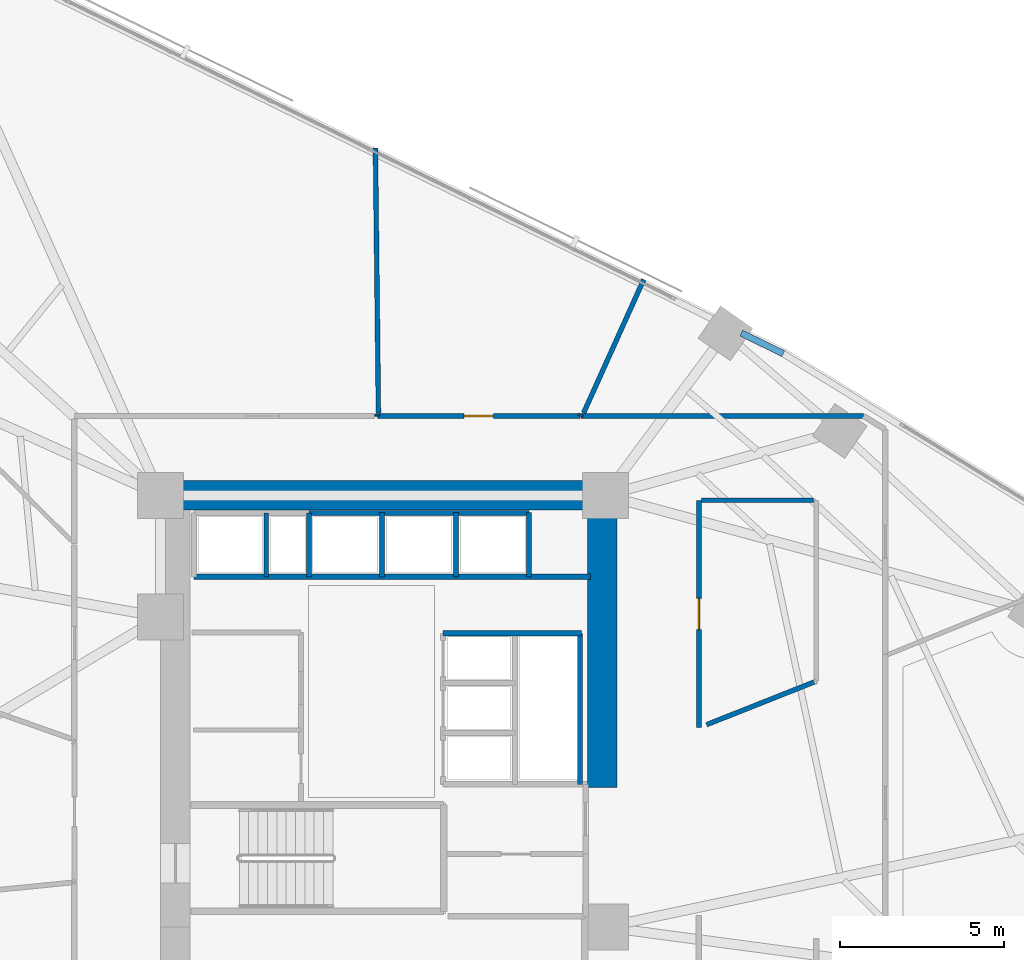
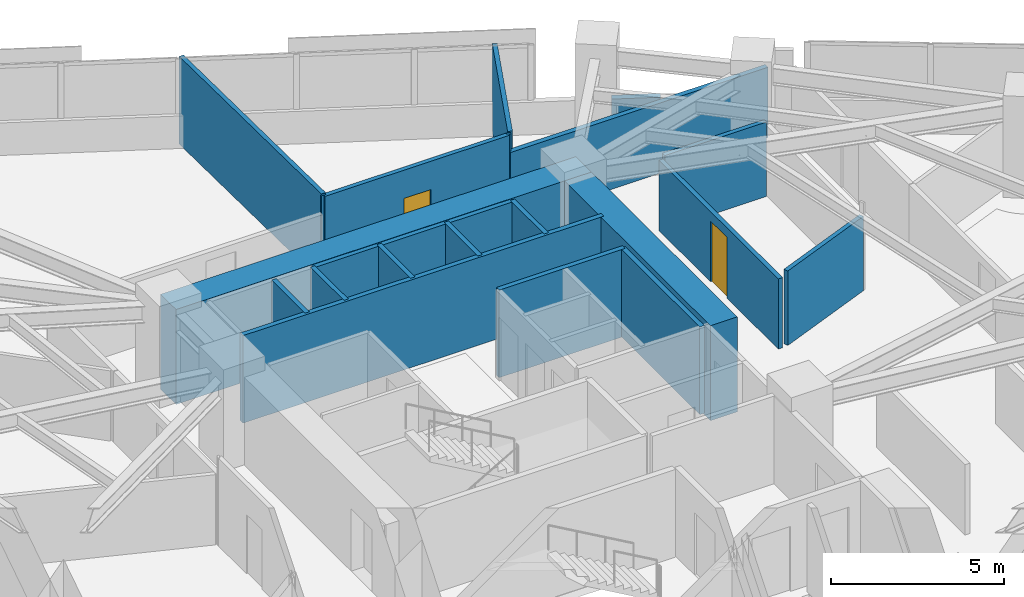
# One storey, part 15 of 20: 21 walls, 2 doors, 2 openings.
"""IFC4 building model written with IfcOpenShell, lengths in metres."""

import ifcopenshell
import ifcopenshell.guid

model = None  # the IFC model being written
_history = None  # IfcOwnerHistory: only IFC2X3 demands one
_inside = {}  # id of a spatial element -> (the spatial element, [elements in it])
_under = {}  # id of a project, library or spatial element -> (it, [spatial elements below it])
_declared = {}  # id of a project -> (the project, [libraries it declares])
_typed = {}  # id of a type object -> (the type object, [elements of that type])
_made_of = {}  # id of a material, layer set ... -> (it, [elements and type objects made of it])


def new_model(schema):
    """Start an empty IFC model of exactly this schema.

    Asked for "IFC4X3", IfcOpenShell would pick the latest addendum, in which some entities
    have other attributes; the version numbers below select the first issue.
    IFC2X3 requires an IfcOwnerHistory on every rooted entity: one is made here for all.
    """
    global model, _history
    if schema == "IFC4X3":
        model = ifcopenshell.file(schema_version=(4, 3, 0, 0))
    else:
        model = ifcopenshell.file(schema=schema)
    _inside.clear()
    _under.clear()
    _declared.clear()
    _typed.clear()
    _made_of.clear()
    _history = None
    if model.schema == "IFC2X3":
        org = make("IfcOrganization", Name="unknown")
        user = make(
            "IfcPersonAndOrganization",
            ThePerson=make("IfcPerson", FamilyName="unknown"),
            TheOrganization=org,
        )
        app = make(
            "IfcApplication",
            ApplicationDeveloper=org,
            Version="unknown",
            ApplicationFullName="unknown",
            ApplicationIdentifier="unknown",
        )
        _history = make(
            "IfcOwnerHistory",
            OwningUser=user,
            OwningApplication=app,
            ChangeAction="ADDED",
            CreationDate=0,
        )
    return model


def make(cls, **values):
    """One entity of the class cls with the attributes given. An attribute that is None is left unset."""
    return model.create_entity(
        cls, **{name: value for name, value in values.items() if value is not None}
    )


def rooted(cls, **values):
    """An entity with a GlobalId (a new one), such as an element, a storey or a relation."""
    return make(cls, GlobalId=ifcopenshell.guid.new(), OwnerHistory=_history, **values)


def si_unit(unit_type, name, prefix=None):
    """IfcSIUnit, for example si_unit("LENGTHUNIT", "METRE", prefix="MILLI")."""
    return make("IfcSIUnit", UnitType=unit_type, Prefix=prefix, Name=name)


def assignment(units):
    """IfcUnitAssignment: the units of a project."""
    return None if units is None else make("IfcUnitAssignment", Units=units)


def point(xyz):
    """IfcCartesianPoint."""
    return None if xyz is None else make("IfcCartesianPoint", Coordinates=xyz)


def direction(xyz):
    """IfcDirection."""
    return None if xyz is None else make("IfcDirection", DirectionRatios=xyz)


def frame(location, z_axis=None, x_axis=None):
    """IfcAxis2Placement3D, a coordinate frame: its origin and axes. An axis left out is left unset."""
    return make(
        "IfcAxis2Placement3D",
        Location=point(location),
        Axis=direction(z_axis),
        RefDirection=direction(x_axis),
    )


def frame_2d(location, x_axis=None):
    """IfcAxis2Placement2D, a coordinate frame in the plane: its origin and x axis."""
    return make(
        "IfcAxis2Placement2D", Location=point(location), RefDirection=direction(x_axis)
    )


def origin():
    """The frame at (0, 0, 0) with its axes left unset."""
    return frame((0.0, 0.0, 0.0))


def place(relative_to, where):
    """IfcLocalPlacement: puts the frame where relative to a parent placement (None: the world)."""
    return make(
        "IfcLocalPlacement", PlacementRelTo=relative_to, RelativePlacement=where
    )


def context(
    kind, dimensions, precision=None, world=None, true_north=None, identifier=None
):
    """IfcGeometricRepresentationContext, for example the 3D "Model" context."""
    return make(
        "IfcGeometricRepresentationContext",
        ContextIdentifier=identifier,
        ContextType=kind,
        CoordinateSpaceDimension=dimensions,
        Precision=precision,
        WorldCoordinateSystem=world,
        TrueNorth=true_north,
    )


def subcontext(parent, identifier, kind, view, scale=None):
    """IfcGeometricRepresentationSubContext, for example "Body" below "Model"."""
    return make(
        "IfcGeometricRepresentationSubContext",
        ContextIdentifier=identifier,
        ContextType=kind,
        ParentContext=parent,
        TargetScale=scale,
        TargetView=view,
    )


def project(units=None, contexts=None):
    """IfcProject with its units and contexts."""
    return rooted(
        "IfcProject",
        Name="project",
        RepresentationContexts=contexts,
        UnitsInContext=assignment(units),
    )


def spatial(cls, under=None, at=None, **own):
    """A site, building, storey or space (cls), placed at a placement, below another one or the project."""
    s = rooted(cls, ObjectPlacement=at, **own)
    if under is not None:
        _under.setdefault(under.id(), (under, []))[1].append(s)
    return s


def profile(cls, at=None, kind="AREA", **sizes):
    """A parametric profile (cls). Its sizes go by their IFC names, for example OverallWidth=200.0."""
    return make(cls, ProfileType=kind, Position=at, **sizes)


def rectangle(**sizes):
    """IfcRectangleProfileDef."""
    return profile("IfcRectangleProfileDef", **sizes)


def extrude(swept, where, along, depth):
    """IfcExtrudedAreaSolid: the profile swept, set in the frame where, extruded along a direction by depth."""
    return make(
        "IfcExtrudedAreaSolid",
        SweptArea=swept,
        Position=where,
        ExtrudedDirection=direction(along),
        Depth=depth,
    )


def shape(context_of_items, identifier, shape_type, items):
    """IfcShapeRepresentation: the items that make up one representation, for example the "Body"."""
    return make(
        "IfcShapeRepresentation",
        ContextOfItems=context_of_items,
        RepresentationIdentifier=identifier,
        RepresentationType=shape_type,
        Items=items,
    )


def material(Name=None, Category=None):
    """IfcMaterial."""
    return make("IfcMaterial", Name=Name, Category=Category)


def layer(
    of_material, thickness, ventilated=None, Name=None, Category=None, Priority=None
):
    """IfcMaterialLayer: one layer of a wall or slab, of a material (None: an air gap)."""
    return make(
        "IfcMaterialLayer",
        Material=of_material,
        LayerThickness=thickness,
        IsVentilated=ventilated,
        Name=Name,
        Category=Category,
        Priority=Priority,
    )


def layer_set(layers, Name=None):
    """IfcMaterialLayerSet."""
    return make("IfcMaterialLayerSet", MaterialLayers=layers, LayerSetName=Name)


def made_of(thing, what):
    """Note that an element or type object is made of a material, layer set ...; save() writes the relation."""
    if what is not None:
        _made_of.setdefault(what.id(), (what, []))[1].append(thing)
    return thing


def type_object(cls, material=None, **own):
    """A type object (cls), such as IfcWallType, which elements share."""
    return made_of(rooted(cls, **own), material)


def element(
    cls,
    number,
    at=None,
    inside=None,
    cuts=None,
    type_object=None,
    material=None,
    context=None,
    identifier="Body",
    shape_type=None,
    held_by="IfcProductDefinitionShape",
    body=None,
    shapes=None,
    **own,
):
    """One element of the class cls, such as IfcWall. Its Tag is "e" and its number.

    at: its placement. inside: the storey or other place that contains it. cuts: it is an
    opening in that element (IfcRelVoidsElement). A single representation is given by context,
    identifier, shape_type and body (its items); several are given by shapes. held_by: the class
    of the entity that holds the representations. save() writes the other relations.
    """
    e = rooted(cls, Tag="e%d" % number, ObjectPlacement=at, **own)
    if body is not None:
        shapes = [shape(context, identifier, shape_type, body)]
    if shapes is not None:
        e.Representation = make(held_by, Representations=shapes)
    if inside is not None:
        _inside.setdefault(inside.id(), (inside, []))[1].append(e)
    if cuts is not None:
        rooted(
            "IfcRelVoidsElement", RelatingBuildingElement=cuts, RelatedOpeningElement=e
        )
    if type_object is not None:
        _typed.setdefault(type_object.id(), (type_object, []))[1].append(e)
    return made_of(e, material)


def fill(opening, filler):
    """IfcRelFillsElement: the door or window that sits in an opening."""
    return rooted(
        "IfcRelFillsElement",
        RelatingOpeningElement=opening,
        RelatedBuildingElement=filler,
    )


def aggregate(whole, parts):
    """IfcRelAggregates: a whole, such as a stair, and the parts it consists of."""
    return rooted("IfcRelAggregates", RelatingObject=whole, RelatedObjects=parts)


def save(model, path):
    """Write the relations noted so far, then the file.

    IfcRelAggregates (storeys below a building ...), IfcRelContainedInSpatialStructure (elements
    in a storey), IfcRelDefinesByType, IfcRelAssociatesMaterial and IfcRelDeclares: one each for
    every whole, place, type object, material and project.
    """
    for whole, parts in _under.values():
        aggregate(whole, parts)
    for where, things in _inside.values():
        rooted(
            "IfcRelContainedInSpatialStructure",
            RelatedElements=things,
            RelatingStructure=where,
        )
    for kind, things in _typed.values():
        rooted("IfcRelDefinesByType", RelatedObjects=things, RelatingType=kind)
    for what, things in _made_of.values():
        rooted("IfcRelAssociatesMaterial", RelatedObjects=things, RelatingMaterial=what)
    for by, libraries in _declared.values():
        rooted("IfcRelDeclares", RelatingContext=by, RelatedDefinitions=libraries)
    model.write(path)


model = new_model("IFC4")

# Units and contexts
model_context = context("Model", 3, precision=1e-05, world=origin(), true_north=direction((0.0, 1.0)))
body_context = subcontext(model_context, "Body", "Model", "MODEL_VIEW")
ifc_project = project(units=[si_unit("LENGTHUNIT", "METRE"), si_unit("AREAUNIT", "SQUARE_METRE"), si_unit("VOLUMEUNIT", "CUBIC_METRE"), si_unit("PLANEANGLEUNIT", "RADIAN"), si_unit("MASSUNIT", "GRAM", prefix="KILO")], contexts=[model_context])

# Site, building, storey
site_placement = place(None, origin())
site = spatial("IfcSite", under=ifc_project, at=site_placement, CompositionType="ELEMENT")
building_placement = place(site_placement, origin())
building = spatial("IfcBuilding", under=site, at=building_placement, Name="Narakoshi Arena Tower", CompositionType="ELEMENT")
storey_placement = place(building_placement, frame((0.0, 0.0, 124.5)))
storey = spatial("IfcBuildingStorey", under=building, at=storey_placement, Name="L33", CompositionType="ELEMENT", Elevation=124.5)

# Walls
ifc_material_1 = material(Name="Concrete C60/75", Category="concrete")
ifc_layer_1 = layer(ifc_material_1, 0.89990234375)
ifc_layer_set_1 = layer_set([ifc_layer_1], Name="Concrete C60/75")
wall_type_1 = type_object("IfcWallType", Name="WL-CORE-900", PredefinedType="SHEAR", material=ifc_layer_set_1)
wall_1_placement = place(storey_placement, frame((72.0, 56.5, -0.260009765625), z_axis=(0.0, 0.0, 1.0), x_axis=(1.0, 0.0, 0.0)))
element("IfcWall", 1, at=wall_1_placement, inside=storey, type_object=wall_type_1, Name="L33 Main Core Shear Wall CW-MN-N", PredefinedType="SHEAR", context=body_context, shape_type="SweptSolid", body=[
    extrude(rectangle(XDim=13.89990234375, YDim=0.89990234375, at=frame_2d((6.949951171875, 0.0))), origin(), (0.0, 0.0, 1.0), 3.360107421875),
])
wall_2_placement = place(storey_placement, frame((85.449951171875, 47.60009765625, -0.260009765625), z_axis=(0.0, 0.0, 1.0), x_axis=(0.0, 1.0, 0.0)))
element("IfcWall", 2, at=wall_2_placement, inside=storey, type_object=wall_type_1, Name="L33 Main Core Shear Wall CW-MN-E", PredefinedType="SHEAR", context=body_context, shape_type="SweptSolid", body=[
    extrude(rectangle(XDim=8.449951171875, YDim=0.89990234375, at=frame_2d((4.22509765625, 0.0))), origin(), (0.0, 0.0, 1.0), 3.360107421875),
])
ifc_material_2 = material(Name="Gypsum plasterboard fire-rated partition")
ifc_layer_2 = layer(ifc_material_2, 0.1650390625)
ifc_layer_set_2 = layer_set([ifc_layer_2], Name="Gypsum plasterboard fire-rated partition")
wall_type_2 = type_object("IfcWallType", Name="WL-CORR-165", PredefinedType="PARTITIONING", material=ifc_layer_set_2)
wall_3_placement = place(storey_placement, frame((93.410888671875, 58.9189453125, 0.0), z_axis=(0.0, 0.0, 1.0), x_axis=(-1.0, 0.0, 0.0)))
element("IfcWall", 3, at=wall_3_placement, inside=storey, type_object=wall_type_2, Name="L33 Corridor Partition 05-1", PredefinedType="PARTITIONING", context=body_context, shape_type="SweptSolid", body=[
    extrude(rectangle(XDim=8.60546875, YDim=0.1650390625, at=frame_2d((4.302734375, 0.0))), origin(), (0.0, 0.0, 1.0), 2.485107421875),
])
ifc_material_3 = material(Name="Precast concrete C45/55", Category="concrete")
ifc_layer_3 = layer(ifc_material_3, 0.25)
ifc_layer_set_3 = layer_set([ifc_layer_3], Name="Precast concrete C45/55")
wall_type_3 = type_object("IfcWallType", Name="WL-PARA-250", PredefinedType="PARAPET", material=ifc_layer_set_3)
wall_4_placement = place(storey_placement, frame((90.96435546875, 60.821533203125, 0.0), z_axis=(0.0, 0.0, 1.0), x_axis=(-0.898000468284, 0.439994498787, 0.0)))
element("IfcWall", 4, at=wall_4_placement, inside=storey, type_object=wall_type_3, Name="L33 Hypotenuse Sill Upstand Parapet 2-01", PredefinedType="PARAPET", context=body_context, shape_type="SweptSolid", body=[
    extrude(rectangle(XDim=1.42333984375, YDim=0.199951171875, at=frame_2d((0.711669921875, 0.0))), origin(), (0.0, 0.0, 1.0), 1.14990234375),
])
ifc_material_4 = material(Name="Concrete C40/50", Category="concrete")
ifc_layer_4 = layer(ifc_material_4, 0.280029296875)
ifc_layer_set_4 = layer_set([ifc_layer_4], Name="Concrete C40/50")
wall_type_4 = type_object("IfcWallType", Name="WL-RISER-280", PredefinedType="PLUMBINGWALL", material=ifc_layer_set_4)
wall_5_placement = place(storey_placement, frame((75.219970703125, 54.02001953125, 0.0), z_axis=(0.0, 0.0, 1.0), x_axis=(0.0, 1.0, 0.0)))
element("IfcWall", 5, at=wall_5_placement, inside=storey, type_object=wall_type_4, Name="L33 Core Wall OBS-M", PredefinedType="PLUMBINGWALL", context=body_context, shape_type="SweptSolid", body=[
    extrude(rectangle(XDim=1.93994140625, YDim=0.14990234375, at=frame_2d((0.969970703125, 0.0))), origin(), (0.0, 0.0, 1.0), 3.10009765625),
])
for number, where, z_axis, x_axis, name in (
    (6, (78.75, 54.02001953125, 0.0), (0.0, 0.0, 1.0), (0.0, 1.0, 0.0), "L33 Core Wall HR-D1"),
    (7, (81.0, 54.02001953125, 0.0), (0.0, 0.0, 1.0), (0.0, 1.0, 0.0), "L33 Core Wall HR-D2"),
):
    element("IfcWall", number, at=place(storey_placement, frame(where, z_axis=z_axis, x_axis=x_axis)), inside=storey, type_object=wall_type_4, Name=name, PredefinedType="PLUMBINGWALL", context=body_context, shape_type="SweptSolid", body=[
        extrude(rectangle(XDim=1.9599609375, YDim=0.14990234375, at=frame_2d((0.97998046875, 0.0))), origin(), (0.0, 0.0, 1.0), 3.10009765625),
    ])
ifc_material_5 = material(Name="Concrete C50/60", Category="concrete")
ifc_layer_5 = layer(ifc_material_5, 0.35009765625)
ifc_layer_set_5 = layer_set([ifc_layer_5], Name="Concrete C50/60")
wall_type_5 = type_object("IfcWallType", Name="WL-SHAFT-350", PredefinedType="SOLIDWALL", material=ifc_layer_set_5)
wall_6_placement = place(storey_placement, frame((80.60009765625, 52.300048828125, 0.0), z_axis=(0.0, 0.0, 1.0), x_axis=(1.0, 0.0, 0.0)))
element("IfcWall", 8, at=wall_6_placement, inside=storey, type_object=wall_type_5, Name="L33 Core Wall MR-N", PredefinedType="SOLIDWALL", context=body_context, shape_type="SweptSolid", body=[
    extrude(rectangle(XDim=4.219970703125, YDim=0.159912109375, at=frame_2d((2.10986328125, 0.0))), origin(), (0.0, 0.0, 1.0), 3.10009765625),
])
wall_7_placement = place(storey_placement, frame((84.780029296875, 47.699951171875, 0.0), z_axis=(0.0, 0.0, 1.0), x_axis=(0.0, 1.0, 0.0)))
element("IfcWall", 9, at=wall_7_placement, inside=storey, type_object=wall_type_5, Name="L33 Core Wall MR-E2", PredefinedType="SOLIDWALL", context=body_context, shape_type="SweptSolid", body=[
    extrude(rectangle(XDim=4.60009765625, YDim=0.159912109375, at=frame_2d((2.300048828125, 0.0))), origin(), (0.0, 0.0, 1.0), 3.10009765625),
])
wall_8_placement = place(storey_placement, frame((73.02001953125, 54.02001953125, 0.0), z_axis=(0.0, 0.0, 1.0), x_axis=(1.0, 0.0, 0.0)))
element("IfcWall", 10, at=wall_8_placement, inside=storey, type_object=wall_type_5, Name="L33 Core Wall NSHF-S", PredefinedType="SOLIDWALL", context=body_context, shape_type="SweptSolid", body=[
    extrude(rectangle(XDim=12.080078125, YDim=0.159912109375, at=frame_2d((6.0400390625, 0.0))), origin(), (0.0, 0.0, 1.0), 3.10009765625),
])
wall_9_placement = place(storey_placement, frame((76.52001953125, 54.02001953125, 0.0), z_axis=(0.0, 0.0, 1.0), x_axis=(0.0, 1.0, 0.0)))
element("IfcWall", 11, at=wall_9_placement, inside=storey, type_object=wall_type_5, Name="L33 Core Wall OBS-E", PredefinedType="SOLIDWALL", context=body_context, shape_type="SweptSolid", body=[
    extrude(rectangle(XDim=1.93994140625, YDim=0.14990234375, at=frame_2d((0.969970703125, 0.0))), origin(), (0.0, 0.0, 1.0), 3.10009765625),
])
wall_10_placement = place(storey_placement, frame((83.219970703125, 54.02001953125, 0.0), z_axis=(0.0, 0.0, 1.0), x_axis=(0.0, 1.0, 0.0)))
element("IfcWall", 12, at=wall_10_placement, inside=storey, type_object=wall_type_5, Name="L33 Core Wall HR-E", PredefinedType="SOLIDWALL", context=body_context, shape_type="SweptSolid", body=[
    extrude(rectangle(XDim=1.9599609375, YDim=0.14990234375, at=frame_2d((0.97998046875, 0.0))), origin(), (0.0, 0.0, 1.0), 3.10009765625),
])
wall_11_placement = place(storey_placement, frame((76.52001953125, 55.9599609375, 0.0), z_axis=(0.0, 0.0, 1.0), x_axis=(1.0, 0.0, 0.0)))
element("IfcWall", 13, at=wall_11_placement, inside=storey, type_object=wall_type_5, Name="L33 Core Wall HR-N", PredefinedType="SOLIDWALL", context=body_context, shape_type="SweptSolid", body=[
    extrude(rectangle(XDim=6.699951171875, YDim=0.14990234375, at=frame_2d((3.35009765625, 0.0))), origin(), (0.0, 0.0, 1.0), 3.10009765625),
])

# Wall, opening, door
ifc_material_6 = material(Name="Moisture-resistant cement-board partition")
ifc_layer_6 = layer(ifc_material_6, 0.14501953125)
ifc_layer_set_6 = layer_set([ifc_layer_6], Name="Moisture-resistant cement-board partition")
wall_type_6 = type_object("IfcWallType", Name="WL-WET-145", PredefinedType="PARTITIONING", material=ifc_layer_set_6)
wall_12_placement = place(storey_placement, frame((88.39990234375, 49.423583984375, 0.0), z_axis=(0.0, 0.0, 1.0), x_axis=(0.0, 1.0, 0.0)))
wall_12 = element("IfcWall", 14, at=wall_12_placement, inside=storey, type_object=wall_type_6, Name="L33 Corridor Partition 04-1", PredefinedType="PARTITIONING", context=body_context, shape_type="SweptSolid", body=[
    extrude(rectangle(XDim=6.926513671875, YDim=0.14501953125, at=frame_2d((3.46337890625, 0.0))), origin(), (0.0, 0.0, 1.0), 2.485107421875),
])
opening_1_placement = place(wall_12_placement, frame((2.98828125, 0.0, 0.0)))
opening_1 = element("IfcOpeningElement", 15, at=opening_1_placement, cuts=wall_12, Name="Opening D-07", PredefinedType="OPENING", context=body_context, shape_type="SweptSolid", body=[
    extrude(rectangle(XDim=0.949951171875, YDim=2.14990234375, at=frame_2d((0.47509765625, 1.074951171875))), frame((0.0, 0.08251953125, 0.0), z_axis=(0.0, -1.0, 0.0), x_axis=(1.0, 0.0, 0.0)), (0.0, 0.0, 1.0), 0.1650390625),
])
ifc_material_7 = material(Name="Stained oak solid-core timber", Category="wood")
door_type_1 = type_object("IfcDoorType", Name="DR-ACC-950", OperationType="NOTDEFINED", PredefinedType="DOOR", material=ifc_material_7)
door_1_placement = place(opening_1_placement, frame((0.949951171875, 0.0, 0.0), z_axis=(0.0, 0.0, 1.0), x_axis=(-1.0, 0.0, 0.0)))
door_1 = element("IfcDoor", 16, at=door_1_placement, inside=storey, type_object=door_type_1, Name="DR-L33-017", OperationType="SINGLE_SWING_RIGHT", OverallHeight=2.14990234375, OverallWidth=0.949951171875, PredefinedType="DOOR", context=body_context, shape_type="SweptSolid", body=[
    extrude(rectangle(XDim=0.949951171875, YDim=2.14990234375, at=frame_2d((0.47509765625, 1.074951171875))), frame((0.0, 0.02490234375, 0.0), z_axis=(0.0, -1.0, 0.0), x_axis=(1.0, 0.0, 0.0)), (0.0, 0.0, 1.0), 0.050048828125),
])
fill(opening_1, door_1)

# Walls
wall_13_placement = place(storey_placement, frame((88.484619140625, 56.35009765625, 0.0), z_axis=(0.0, 0.0, 1.0), x_axis=(1.0, 0.0, 0.0)))
element("IfcWall", 17, at=wall_13_placement, inside=storey, type_object=wall_type_6, Name="L33 Corridor Partition 04-3", PredefinedType="PARTITIONING", context=body_context, shape_type="SweptSolid", body=[
    extrude(rectangle(XDim=3.404541015625, YDim=0.14501953125, at=frame_2d((1.7021484375, 0.0))), origin(), (0.0, 0.0, 1.0), 2.635009765625),
])
wall_14_placement = place(storey_placement, frame((84.887451171875, 59.013427734375, 0.0), z_axis=(0.0, 0.0, 1.0), x_axis=(0.41078572769, 0.911731915601, 0.0)))
element("IfcWall", 18, at=wall_14_placement, inside=storey, type_object=wall_type_6, Name="L33 Inter-Room Partition 05-06", PredefinedType="PARTITIONING", context=body_context, shape_type="SweptSolid", body=[
    extrude(rectangle(XDim=4.459716796875, YDim=0.14501953125, at=frame_2d((2.22998046875, 0.0))), origin(), (0.0, 0.0, 1.0), 3.10009765625),
])

# Wall, opening, door
wall_15_placement = place(storey_placement, frame((84.779052734375, 58.9189453125, 0.0), z_axis=(0.0, 0.0, 1.0), x_axis=(-1.0, 0.0, 0.0)))
wall_15 = element("IfcWall", 19, at=wall_15_placement, inside=storey, type_object=wall_type_6, Name="L33 Corridor Partition 06-1", PredefinedType="PARTITIONING", context=body_context, shape_type="SweptSolid", body=[
    extrude(rectangle(XDim=6.17724609375, YDim=0.14501953125, at=frame_2d((3.088623046875, 0.0))), origin(), (0.0, 0.0, 1.0), 3.10009765625),
])
opening_2_placement = place(wall_15_placement, frame((2.638671875, 0.0, 0.0)))
opening_2 = element("IfcOpeningElement", 20, at=opening_2_placement, cuts=wall_15, Name="Opening D-08", PredefinedType="OPENING", context=body_context, shape_type="SweptSolid", body=[
    extrude(rectangle(XDim=0.89990234375, YDim=2.10009765625, at=frame_2d((0.449951171875, 1.050048828125))), frame((0.0, 0.08251953125, 0.0), z_axis=(0.0, -1.0, 0.0), x_axis=(1.0, 0.0, 0.0)), (0.0, 0.0, 1.0), 0.1650390625),
])
ifc_material_8 = material(Name="Moisture-resistant laminate timber", Category="wood")
door_type_2 = type_object("IfcDoorType", Name="DR-WC-900", OperationType="NOTDEFINED", PredefinedType="DOOR", material=ifc_material_8)
door_2_placement = place(opening_2_placement, frame((0.89990234375, 0.0, 0.0), z_axis=(0.0, 0.0, 1.0), x_axis=(-1.0, 0.0, 0.0)))
door_2 = element("IfcDoor", 21, at=door_2_placement, inside=storey, type_object=door_type_2, Name="DR-L33-019", OperationType="SINGLE_SWING_LEFT", OverallHeight=2.10009765625, OverallWidth=0.89990234375, PredefinedType="DOOR", context=body_context, shape_type="SweptSolid", body=[
    extrude(rectangle(XDim=0.89990234375, YDim=2.10009765625, at=frame_2d((0.449951171875, 1.050048828125))), frame((0.0, 0.02490234375, 0.0), z_axis=(0.0, -1.0, 0.0), x_axis=(1.0, 0.0, 0.0)), (0.0, 0.0, 1.0), 0.050048828125),
])
fill(opening_2, door_2)

# Walls
wall_16_placement = place(storey_placement, frame((84.805419921875, 58.977294921875, 0.0), z_axis=(0.0, 0.0, 1.0), x_axis=(-0.411791032356, -0.911278303084, 0.0)))
element("IfcWall", 22, at=wall_16_placement, inside=storey, type_object=wall_type_6, Name="L33 Corridor Partition 06-2", PredefinedType="PARTITIONING", context=body_context, shape_type="SweptSolid", body=[
    extrude(rectangle(XDim=0.06396484375, YDim=0.14501953125, at=frame_2d((0.031982421875, 0.0))), origin(), (0.0, 0.0, 1.0), 3.10009765625),
])
wall_17_placement = place(storey_placement, frame((78.601806640625, 58.9189453125, 0.0), z_axis=(0.0, 0.0, 1.0), x_axis=(-0.016258013492, 0.999867829764, 0.0)))
element("IfcWall", 23, at=wall_17_placement, inside=storey, type_object=wall_type_6, Name="L33 Corridor Partition 06-3", PredefinedType="PARTITIONING", context=body_context, shape_type="SweptSolid", body=[
    extrude(rectangle(XDim=0.06005859375, YDim=0.14501953125, at=frame_2d((0.030029296875, 0.0))), origin(), (0.0, 0.0, 1.0), 3.10009765625),
])
wall_18_placement = place(storey_placement, frame((78.63671875, 59.00341796875, 0.0), z_axis=(0.0, 0.0, 1.0), x_axis=(-0.011327893753, 0.999935837353, 0.0)))
element("IfcWall", 24, at=wall_18_placement, inside=storey, type_object=wall_type_6, Name="L33 Inter-Room Partition 06-07", PredefinedType="PARTITIONING", context=body_context, shape_type="SweptSolid", body=[
    extrude(rectangle(XDim=8.08203125, YDim=0.14501953125, at=frame_2d((4.041015625, 0.0))), origin(), (0.0, 0.0, 1.0), 3.10009765625),
])
wall_19_placement = place(storey_placement, frame((91.913818359375, 50.818115234375, 0.0), z_axis=(0.0, 0.0, 1.0), x_axis=(-0.92947490378, -0.368885352438, 0.0)))
element("IfcWall", 25, at=wall_19_placement, inside=storey, type_object=wall_type_6, Name="L33 Room Enclosure Partition 04-1", PredefinedType="PARTITIONING", context=body_context, shape_type="SweptSolid", body=[
    extrude(rectangle(XDim=3.5302734375, YDim=0.14501953125, at=frame_2d((1.76513671875, 0.0))), origin(), (0.0, 0.0, 1.0), 2.635009765625),
])

save(model, "model.ifc")
